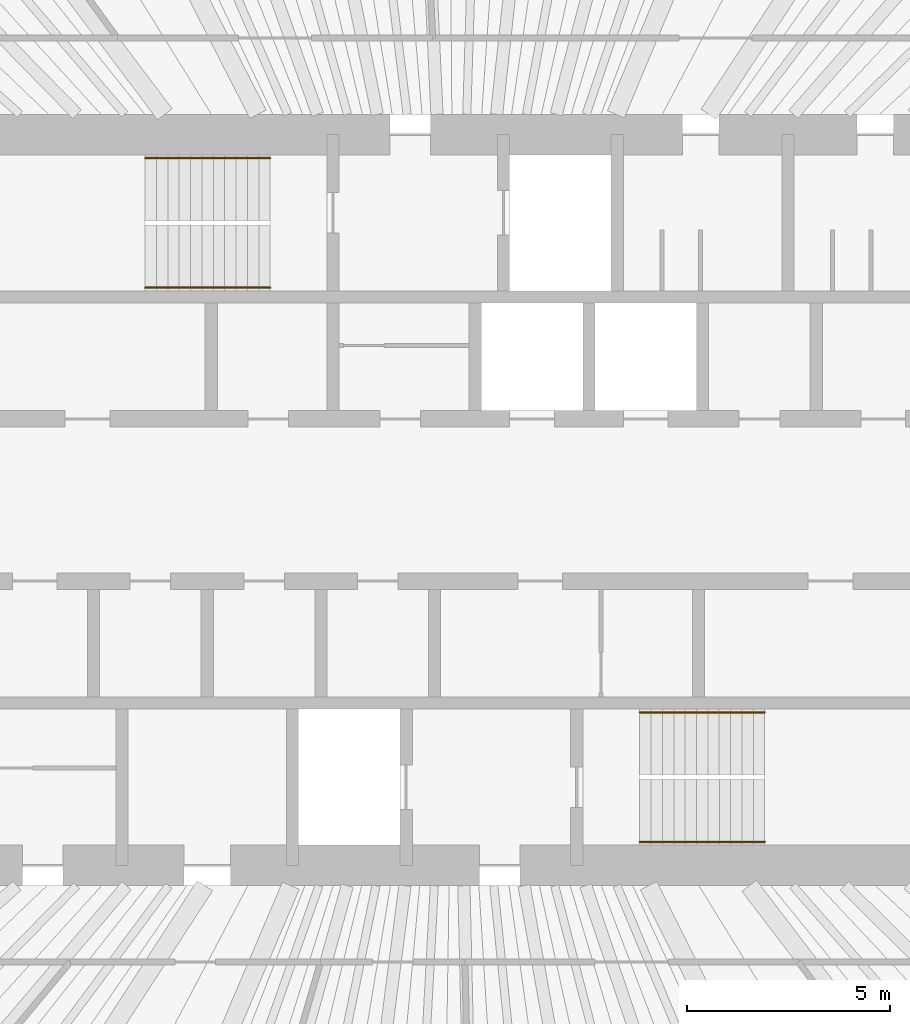
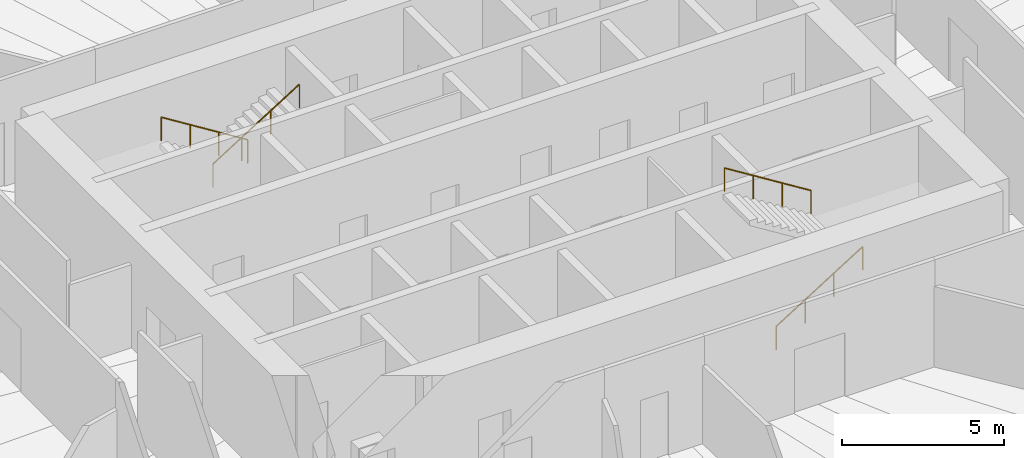
# One storey, part 14 of 14: 4 railings.
"""IFC4 building model written with IfcOpenShell, lengths in metres."""

from ifc_helpers import new_model, si_unit, direction, frame, origin, origin_2d, place, context, subcontext, project, spatial, circle, extrude, material, type_object, element, save


model = new_model("IFC4")

# Units and contexts
model_context = context("Model", 3, precision=1e-05, world=origin(), true_north=direction((0.0, 1.0)))
body_context = subcontext(model_context, "Body", "Model", "MODEL_VIEW")
ifc_project = project(units=[si_unit("LENGTHUNIT", "METRE"), si_unit("AREAUNIT", "SQUARE_METRE"), si_unit("VOLUMEUNIT", "CUBIC_METRE"), si_unit("PLANEANGLEUNIT", "RADIAN"), si_unit("MASSUNIT", "GRAM", prefix="KILO")], contexts=[model_context])

# Site, building, storey
site_placement = place(None, origin())
site = spatial("IfcSite", under=ifc_project, at=site_placement, CompositionType="ELEMENT")
building_placement = place(site_placement, origin())
building = spatial("IfcBuilding", under=site, at=building_placement, Name="Qingtian Harvest Tower", CompositionType="ELEMENT")
storey_placement = place(building_placement, frame((0.0, 0.0, 295.60009765625)))
storey = spatial("IfcBuildingStorey", under=building, at=storey_placement, Name="L65", CompositionType="ELEMENT", Elevation=295.60009765625)

# Railings
ifc_material = material(Name="Stainless steel handrail", Category="steel")
railing_type = type_object("IfcRailingType", Name="Handrail HR1", PredefinedType="HANDRAIL", material=ifc_material)
railing_1_placement = place(storey_placement, frame((-4.550048828125, 8.419921875, 0.1748046875)))
element("IfcRailing", 1, at=railing_1_placement, inside=storey, type_object=railing_type, Name="Handrail HR1 S1 flight 1", PredefinedType="HANDRAIL", context=body_context, shape_type="SweptSolid", body=[
    extrude(circle(Radius=0.02392578125, at=origin_2d()), frame((0.0, 0.0, 0.8759765625), z_axis=(-0.847979421464, 0.0, 0.530029150871), x_axis=(0.0, -1.0, 0.0)), (0.0, 0.0, 1.0), 3.632080078125),
    extrude(circle(Radius=0.02099609375, at=origin_2d()), origin(), (0.0, 0.0, 1.0), 0.851806640625),
    extrude(circle(Radius=0.02099609375, at=origin_2d()), frame((-1.026611328125, 0.0, 0.6416015625)), (0.0, 0.0, 1.0), 0.851806640625),
    extrude(circle(Radius=0.02099609375, at=origin_2d()), frame((-2.05322265625, 0.0, 1.283447265625)), (0.0, 0.0, 1.0), 0.851806640625),
    extrude(circle(Radius=0.02099609375, at=origin_2d()), frame((-3.079833984375, 0.0, 1.925048828125)), (0.0, 0.0, 1.0), 0.851806640625),
])
for number, where, name in (
    (2, (-7.6298828125, 5.22998046875, 2.27490234375), "Handrail HR1 S1 flight 2"),
    (3, (4.550048828125, -8.419921875, 0.1748046875), "Handrail HR1 S2 flight 1"),
):
    element("IfcRailing", number, at=place(storey_placement, frame(where)), inside=storey, type_object=railing_type, Name=name, PredefinedType="HANDRAIL", context=body_context, shape_type="SweptSolid", body=[
        extrude(circle(Radius=0.02392578125, at=origin_2d()), frame((0.0, 0.0, 0.8759765625), z_axis=(0.847979421464, 0.0, 0.530029150871), x_axis=(0.0, 1.0, 0.0)), (0.0, 0.0, 1.0), 3.632080078125),
        extrude(circle(Radius=0.02099609375, at=origin_2d()), origin(), (0.0, 0.0, 1.0), 0.851806640625),
        extrude(circle(Radius=0.02099609375, at=origin_2d()), frame((1.026611328125, 0.0, 0.6416015625)), (0.0, 0.0, 1.0), 0.851806640625),
        extrude(circle(Radius=0.02099609375, at=origin_2d()), frame((2.05322265625, 0.0, 1.283447265625)), (0.0, 0.0, 1.0), 0.851806640625),
        extrude(circle(Radius=0.02099609375, at=origin_2d()), frame((3.079833984375, 0.0, 1.925048828125)), (0.0, 0.0, 1.0), 0.851806640625),
    ])
railing_2_placement = place(storey_placement, frame((7.6298828125, -5.22998046875, 2.27490234375)))
element("IfcRailing", 4, at=railing_2_placement, inside=storey, type_object=railing_type, Name="Handrail HR1 S2 flight 2", PredefinedType="HANDRAIL", context=body_context, shape_type="SweptSolid", body=[
    extrude(circle(Radius=0.02392578125, at=origin_2d()), frame((0.0, 0.0, 0.8759765625), z_axis=(-0.847979421464, 0.0, 0.530029150871), x_axis=(0.0, -1.0, 0.0)), (0.0, 0.0, 1.0), 3.632080078125),
    extrude(circle(Radius=0.02099609375, at=origin_2d()), origin(), (0.0, 0.0, 1.0), 0.851806640625),
    extrude(circle(Radius=0.02099609375, at=origin_2d()), frame((-1.026611328125, 0.0, 0.6416015625)), (0.0, 0.0, 1.0), 0.851806640625),
    extrude(circle(Radius=0.02099609375, at=origin_2d()), frame((-2.05322265625, 0.0, 1.283447265625)), (0.0, 0.0, 1.0), 0.851806640625),
    extrude(circle(Radius=0.02099609375, at=origin_2d()), frame((-3.079833984375, 0.0, 1.925048828125)), (0.0, 0.0, 1.0), 0.851806640625),
])

save(model, "model.ifc")
